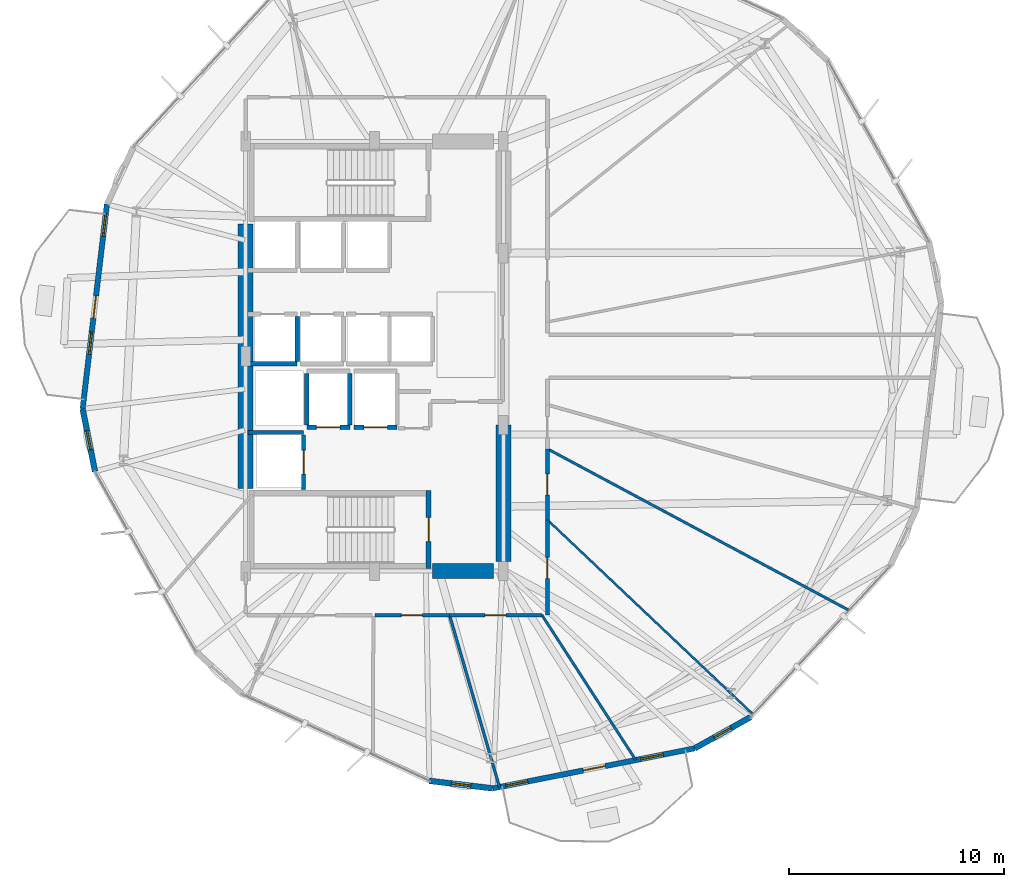
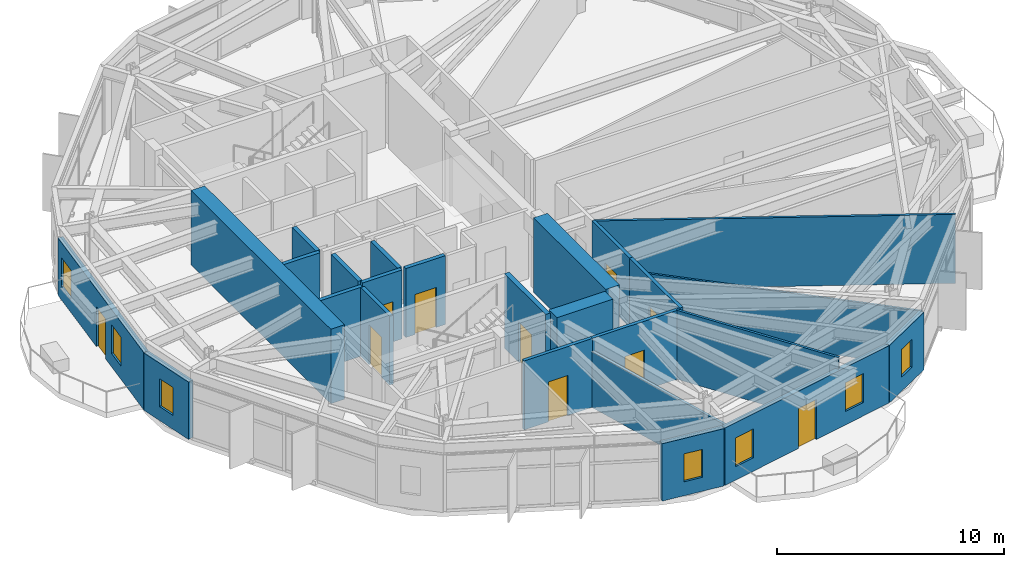
# One storey, part 17 of 22: 25 walls, 10 doors, 7 windows, 17 openings.
"""IFC4 building model written with IfcOpenShell, lengths in metres."""

from ifc_helpers import new_model, si_unit, direction, frame, frame_2d, origin, place, context, subcontext, project, spatial, rectangle, extrude, material, layer, layer_set, type_object, element, fill, save


model = new_model("IFC4")

# Units and contexts
model_context = context("Model", 3, precision=1e-05, world=origin(), true_north=direction((0.0, 1.0)))
body_context = subcontext(model_context, "Body", "Model", "MODEL_VIEW")
ifc_project = project(units=[si_unit("LENGTHUNIT", "METRE"), si_unit("AREAUNIT", "SQUARE_METRE"), si_unit("VOLUMEUNIT", "CUBIC_METRE"), si_unit("PLANEANGLEUNIT", "RADIAN"), si_unit("MASSUNIT", "GRAM", prefix="KILO")], contexts=[model_context])

# Site, building, storey
site_placement = place(None, origin())
site = spatial("IfcSite", under=ifc_project, at=site_placement, CompositionType="ELEMENT")
building_placement = place(site_placement, origin())
building = spatial("IfcBuilding", under=site, at=building_placement, Name="Soratama Intermodal Tower", CompositionType="ELEMENT")
storey_placement = place(building_placement, frame((0.0, 0.0, 70.60009765625)))
storey = spatial("IfcBuildingStorey", under=building, at=storey_placement, Name="L16", CompositionType="ELEMENT", Elevation=70.60009765625)

# Wall, openings, door, windows
ifc_material_1 = material(Name="Concrete f'c 42 MPa", Category="concrete")
ifc_layer_1 = layer(ifc_material_1, 0.25)
ifc_layer_set_1 = layer_set([ifc_layer_1], Name="Concrete f'c 42 MPa")
wall_type_1 = type_object("IfcWallType", Name="EW-BAL-250", PredefinedType="SOLIDWALL", material=ifc_layer_set_1)
wall_1_placement = place(storey_placement, frame((26.145751953125, 32.0703125, 0.0), z_axis=(0.0, 0.0, 1.0), x_axis=(-0.118050916003, -0.993007543391, 0.0)))
wall_1 = element("IfcWall", 1, at=wall_1_placement, inside=storey, type_object=wall_type_1, Name="L16 Terrace Wall F05", PredefinedType="SOLIDWALL", context=body_context, shape_type="SweptSolid", body=[
    extrude(rectangle(XDim=9.58984375, YDim=0.25, at=frame_2d((4.794921875, 0.0))), origin(), (0.0, 0.0, 1.0), 3.078857421875),
])
opening_1_placement = place(wall_1_placement, frame((4.294921875, 0.0, 0.0)))
opening_1 = element("IfcOpeningElement", 2, at=opening_1_placement, cuts=wall_1, Name="Opening ED-5", PredefinedType="OPENING", context=body_context, shape_type="SweptSolid", body=[
    extrude(rectangle(XDim=1.050048828125, YDim=2.14990234375, at=frame_2d((0.52490234375, 1.074951171875))), frame((0.0, 0.135009765625, 0.0), z_axis=(0.0, -1.0, 0.0), x_axis=(1.0, 0.0, 0.0)), (0.0, 0.0, 1.0), 0.27001953125),
])
opening_2_placement = place(wall_1_placement, frame((0.43994140625, 0.0, 0.719970703125)))
opening_2 = element("IfcOpeningElement", 3, at=opening_2_placement, cuts=wall_1, Name="Opening WN-5", PredefinedType="OPENING", context=body_context, shape_type="SweptSolid", body=[
    extrude(rectangle(XDim=1.050048828125, YDim=1.550048828125, at=frame_2d((0.52490234375, 0.77490234375))), frame((0.0, 0.135009765625, 0.0), z_axis=(0.0, -1.0, 0.0), x_axis=(1.0, 0.0, 0.0)), (0.0, 0.0, 1.0), 0.27001953125),
])
opening_3_placement = place(wall_1_placement, frame((5.98486328125, 0.0, 0.719970703125)))
opening_3 = element("IfcOpeningElement", 4, at=opening_3_placement, cuts=wall_1, Name="Opening WN-5", PredefinedType="OPENING", context=body_context, shape_type="SweptSolid", body=[
    extrude(rectangle(XDim=1.050048828125, YDim=1.550048828125, at=frame_2d((0.52490234375, 0.77490234375))), frame((0.0, 0.135009765625, 0.0), z_axis=(0.0, -1.0, 0.0), x_axis=(1.0, 0.0, 0.0)), (0.0, 0.0, 1.0), 0.27001953125),
])
ifc_material_2 = material(Name="Double-glazed aluminium door", Category="aluminium")
door_type_1 = type_object("IfcDoorType", Name="DR-BAL-1050", OperationType="NOTDEFINED", PredefinedType="DOOR", material=ifc_material_2)
door_1_placement = place(opening_1_placement, origin())
door_1 = element("IfcDoor", 5, at=door_1_placement, inside=storey, type_object=door_type_1, Name="L16 Balcony Door F05", OperationType="SINGLE_SWING_LEFT", OverallHeight=2.14990234375, OverallWidth=1.050048828125, PredefinedType="DOOR", context=body_context, shape_type="SweptSolid", body=[
    extrude(rectangle(XDim=1.050048828125, YDim=2.14990234375, at=frame_2d((0.52490234375, 1.074951171875))), frame((0.0, 0.02490234375, 0.0), z_axis=(0.0, -1.0, 0.0), x_axis=(1.0, 0.0, 0.0)), (0.0, 0.0, 1.0), 0.050048828125),
])
fill(opening_1, door_1)
ifc_material_3 = material(Name="Double-glazed aluminium window", Category="aluminium")
window_type_1 = type_object("IfcWindowType", Name="WN-FAC-1050", PartitioningType="SINGLE_PANEL", PredefinedType="WINDOW", material=ifc_material_3)
window_1_placement = place(opening_2_placement, origin())
window_1 = element("IfcWindow", 6, at=window_1_placement, inside=storey, type_object=window_type_1, Name="L16 Window A F05", OverallHeight=1.550048828125, OverallWidth=1.050048828125, PartitioningType="SINGLE_PANEL", PredefinedType="WINDOW", context=body_context, shape_type="SweptSolid", body=[
    extrude(rectangle(XDim=1.050048828125, YDim=1.550048828125, at=frame_2d((0.52490234375, 0.77490234375))), frame((0.0, 0.030029296875, 0.0), z_axis=(0.0, -1.0, 0.0), x_axis=(1.0, 0.0, 0.0)), (0.0, 0.0, 1.0), 0.06005859375),
])
fill(opening_2, window_1)
window_2_placement = place(opening_3_placement, origin())
window_2 = element("IfcWindow", 7, at=window_2_placement, inside=storey, type_object=window_type_1, Name="L16 Window B F05", OverallHeight=1.550048828125, OverallWidth=1.050048828125, PartitioningType="SINGLE_PANEL", PredefinedType="WINDOW", context=body_context, shape_type="SweptSolid", body=[
    extrude(rectangle(XDim=1.050048828125, YDim=1.550048828125, at=frame_2d((0.52490234375, 0.77490234375))), frame((0.0, 0.030029296875, 0.0), z_axis=(0.0, -1.0, 0.0), x_axis=(1.0, 0.0, 0.0)), (0.0, 0.0, 1.0), 0.06005859375),
])
fill(opening_3, window_2)

wall_2_placement = place(storey_placement, frame((44.10205078125, 4.8837890625, 0.0), z_axis=(0.0, 0.0, 1.0), x_axis=(0.980886929862, 0.194578598067, 0.0)))
wall_2 = element("IfcWall", 8, at=wall_2_placement, inside=storey, type_object=wall_type_1, Name="L16 Terrace Wall F08", PredefinedType="SOLIDWALL", context=body_context, shape_type="SweptSolid", body=[
    extrude(rectangle(XDim=9.58984375, YDim=0.25, at=frame_2d((4.794921875, 0.0))), origin(), (0.0, 0.0, 1.0), 3.078857421875),
])
opening_4_placement = place(wall_2_placement, frame((4.294921875, 0.0, 0.0)))
opening_4 = element("IfcOpeningElement", 9, at=opening_4_placement, cuts=wall_2, Name="Opening ED-5", PredefinedType="OPENING", context=body_context, shape_type="SweptSolid", body=[
    extrude(rectangle(XDim=1.050048828125, YDim=2.14990234375, at=frame_2d((0.52490234375, 1.074951171875))), frame((0.0, 0.135009765625, 0.0), z_axis=(0.0, -1.0, 0.0), x_axis=(1.0, 0.0, 0.0)), (0.0, 0.0, 1.0), 0.27001953125),
])
opening_5_placement = place(wall_2_placement, frame((0.620361328125, 0.0, 0.719970703125)))
opening_5 = element("IfcOpeningElement", 10, at=opening_5_placement, cuts=wall_2, Name="Opening WN-5", PredefinedType="OPENING", context=body_context, shape_type="SweptSolid", body=[
    extrude(rectangle(XDim=1.050048828125, YDim=1.550048828125, at=frame_2d((0.52490234375, 0.77490234375))), frame((0.0, 0.135009765625, 0.0), z_axis=(0.0, -1.0, 0.0), x_axis=(1.0, 0.0, 0.0)), (0.0, 0.0, 1.0), 0.27001953125),
])
opening_6_placement = place(wall_2_placement, frame((7.042236328125, 0.0, 0.719970703125)))
opening_6 = element("IfcOpeningElement", 11, at=opening_6_placement, cuts=wall_2, Name="Opening WN-5", PredefinedType="OPENING", context=body_context, shape_type="SweptSolid", body=[
    extrude(rectangle(XDim=1.050048828125, YDim=1.550048828125, at=frame_2d((0.52490234375, 0.77490234375))), frame((0.0, 0.135009765625, 0.0), z_axis=(0.0, -1.0, 0.0), x_axis=(1.0, 0.0, 0.0)), (0.0, 0.0, 1.0), 0.27001953125),
])
door_2_placement = place(opening_4_placement, origin())
door_2 = element("IfcDoor", 12, at=door_2_placement, inside=storey, type_object=door_type_1, Name="L16 Balcony Door F08", OperationType="SINGLE_SWING_RIGHT", OverallHeight=2.14990234375, OverallWidth=1.050048828125, PredefinedType="DOOR", context=body_context, shape_type="SweptSolid", body=[
    extrude(rectangle(XDim=1.050048828125, YDim=2.14990234375, at=frame_2d((0.52490234375, 1.074951171875))), frame((0.0, 0.02490234375, 0.0), z_axis=(0.0, -1.0, 0.0), x_axis=(1.0, 0.0, 0.0)), (0.0, 0.0, 1.0), 0.050048828125),
])
fill(opening_4, door_2)
window_3_placement = place(opening_5_placement, origin())
window_3 = element("IfcWindow", 13, at=window_3_placement, inside=storey, type_object=window_type_1, Name="L16 Window A F08", OverallHeight=1.550048828125, OverallWidth=1.050048828125, PartitioningType="SINGLE_PANEL", PredefinedType="WINDOW", context=body_context, shape_type="SweptSolid", body=[
    extrude(rectangle(XDim=1.050048828125, YDim=1.550048828125, at=frame_2d((0.52490234375, 0.77490234375))), frame((0.0, 0.030029296875, 0.0), z_axis=(0.0, -1.0, 0.0), x_axis=(1.0, 0.0, 0.0)), (0.0, 0.0, 1.0), 0.06005859375),
])
fill(opening_5, window_3)
window_4_placement = place(opening_6_placement, origin())
window_4 = element("IfcWindow", 14, at=window_4_placement, inside=storey, type_object=window_type_1, Name="L16 Window B F08", OverallHeight=1.550048828125, OverallWidth=1.050048828125, PartitioningType="SINGLE_PANEL", PredefinedType="WINDOW", context=body_context, shape_type="SweptSolid", body=[
    extrude(rectangle(XDim=1.050048828125, YDim=1.550048828125, at=frame_2d((0.52490234375, 0.77490234375))), frame((0.0, 0.030029296875, 0.0), z_axis=(0.0, -1.0, 0.0), x_axis=(1.0, 0.0, 0.0)), (0.0, 0.0, 1.0), 0.06005859375),
])
fill(opening_6, window_4)

# Wall, opening, window
ifc_material_4 = material(Name="Concrete f'c 42 MPa", Category="concrete")
ifc_layer_2 = layer(ifc_material_4, 0.27001953125)
ifc_layer_set_2 = layer_set([ifc_layer_2], Name="Concrete f'c 42 MPa")
wall_type_2 = type_object("IfcWallType", Name="EW-CRN-270", PredefinedType="SOLIDWALL", material=ifc_layer_set_2)
wall_3_placement = place(storey_placement, frame((25.013671875, 22.547607421875, 0.0), z_axis=(0.0, 0.0, 1.0), x_axis=(0.194549084762, -0.980892783957, 0.0)))
wall_3 = element("IfcWall", 15, at=wall_3_placement, inside=storey, type_object=wall_type_2, Name="L16 Corner Closure Wall 05", PredefinedType="SOLIDWALL", context=body_context, shape_type="SweptSolid", body=[
    extrude(rectangle(XDim=2.966552734375, YDim=0.27001953125, at=frame_2d((1.4833984375, 0.0))), origin(), (0.0, 0.0, 1.0), 3.078857421875),
])
opening_7_placement = place(wall_3_placement, frame((1.033203125, 0.0, 0.75)))
opening_7 = element("IfcOpeningElement", 16, at=opening_7_placement, cuts=wall_3, Name="Opening WN-6", PredefinedType="OPENING", context=body_context, shape_type="SweptSolid", body=[
    extrude(rectangle(XDim=0.89990234375, YDim=1.5, at=frame_2d((0.449951171875, 0.75))), frame((0.0, 0.14501953125, 0.0), z_axis=(0.0, -1.0, 0.0), x_axis=(1.0, 0.0, 0.0)), (0.0, 0.0, 1.0), 0.2900390625),
])
ifc_material_5 = material(Name="Double-glazed aluminium window", Category="aluminium")
window_type_2 = type_object("IfcWindowType", Name="WN-FAC-900", PartitioningType="SINGLE_PANEL", PredefinedType="WINDOW", material=ifc_material_5)
window_5_placement = place(opening_7_placement, origin())
window_5 = element("IfcWindow", 17, at=window_5_placement, inside=storey, type_object=window_type_2, Name="L16 Corner Window 05", OverallHeight=1.5, OverallWidth=0.89990234375, PartitioningType="SINGLE_PANEL", PredefinedType="WINDOW", context=body_context, shape_type="SweptSolid", body=[
    extrude(rectangle(XDim=0.89990234375, YDim=1.5, at=frame_2d((0.449951171875, 0.75))), frame((0.0, 0.030029296875, 0.0), z_axis=(0.0, -1.0, 0.0), x_axis=(1.0, 0.0, 0.0)), (0.0, 0.0, 1.0), 0.06005859375),
])
fill(opening_7, window_5)

wall_4_placement = place(storey_placement, frame((41.15625, 5.23388671875, 0.0), z_axis=(0.0, 0.0, 1.0), x_axis=(0.993011715875, -0.118015813075, 0.0)))
wall_4 = element("IfcWall", 18, at=wall_4_placement, inside=storey, type_object=wall_type_2, Name="L16 Corner Closure Wall 07", PredefinedType="SOLIDWALL", context=body_context, shape_type="SweptSolid", body=[
    extrude(rectangle(XDim=2.966552734375, YDim=0.27001953125, at=frame_2d((1.4833984375, 0.0))), origin(), (0.0, 0.0, 1.0), 3.078857421875),
])
opening_8_placement = place(wall_4_placement, frame((1.033203125, 0.0, 0.75)))
opening_8 = element("IfcOpeningElement", 19, at=opening_8_placement, cuts=wall_4, Name="Opening WN-6", PredefinedType="OPENING", context=body_context, shape_type="SweptSolid", body=[
    extrude(rectangle(XDim=0.89990234375, YDim=1.5, at=frame_2d((0.449951171875, 0.75))), frame((0.0, 0.14501953125, 0.0), z_axis=(0.0, -1.0, 0.0), x_axis=(1.0, 0.0, 0.0)), (0.0, 0.0, 1.0), 0.2900390625),
])
window_6_placement = place(opening_8_placement, origin())
window_6 = element("IfcWindow", 20, at=window_6_placement, inside=storey, type_object=window_type_2, Name="L16 Corner Window 07", OverallHeight=1.5, OverallWidth=0.89990234375, PartitioningType="SINGLE_PANEL", PredefinedType="WINDOW", context=body_context, shape_type="SweptSolid", body=[
    extrude(rectangle(XDim=0.89990234375, YDim=1.5, at=frame_2d((0.449951171875, 0.75))), frame((0.0, 0.030029296875, 0.0), z_axis=(0.0, -1.0, 0.0), x_axis=(1.0, 0.0, 0.0)), (0.0, 0.0, 1.0), 0.06005859375),
])
fill(opening_8, window_6)

wall_5_placement = place(storey_placement, frame((53.508544921875, 6.749755859375, 0.0), z_axis=(0.0, 0.0, 1.0), x_axis=(0.872744478874, 0.48817729832, 0.0)))
wall_5 = element("IfcWall", 21, at=wall_5_placement, inside=storey, type_object=wall_type_2, Name="L16 Corner Closure Wall 08", PredefinedType="SOLIDWALL", context=body_context, shape_type="SweptSolid", body=[
    extrude(rectangle(XDim=2.966552734375, YDim=0.27001953125, at=frame_2d((1.4833984375, 0.0))), origin(), (0.0, 0.0, 1.0), 3.078857421875),
])
opening_9_placement = place(wall_5_placement, frame((1.033203125, 0.0, 0.75)))
opening_9 = element("IfcOpeningElement", 22, at=opening_9_placement, cuts=wall_5, Name="Opening WN-6", PredefinedType="OPENING", context=body_context, shape_type="SweptSolid", body=[
    extrude(rectangle(XDim=0.89990234375, YDim=1.5, at=frame_2d((0.449951171875, 0.75))), frame((0.0, 0.14501953125, 0.0), z_axis=(0.0, -1.0, 0.0), x_axis=(1.0, 0.0, 0.0)), (0.0, 0.0, 1.0), 0.2900390625),
])
window_7_placement = place(opening_9_placement, origin())
window_7 = element("IfcWindow", 23, at=window_7_placement, inside=storey, type_object=window_type_2, Name="L16 Corner Window 08", OverallHeight=1.5, OverallWidth=0.89990234375, PartitioningType="SINGLE_PANEL", PredefinedType="WINDOW", context=body_context, shape_type="SweptSolid", body=[
    extrude(rectangle(XDim=0.89990234375, YDim=1.5, at=frame_2d((0.449951171875, 0.75))), frame((0.0, 0.030029296875, 0.0), z_axis=(0.0, -1.0, 0.0), x_axis=(1.0, 0.0, 0.0)), (0.0, 0.0, 1.0), 0.06005859375),
])
fill(opening_9, window_7)

# Wall, opening, door
ifc_material_6 = material(Name="Fire-rated gypsum stud partition", Category="concrete")
ifc_layer_3 = layer(ifc_material_6, 0.169921875)
ifc_layer_set_3 = layer_set([ifc_layer_3], Name="Fire-rated gypsum stud partition")
wall_type_3 = type_object("IfcWallType", Name="IW-PART-R170", PredefinedType="PARTITIONING", material=ifc_layer_set_3)
wall_6_placement = place(storey_placement, frame((46.64990234375, 17.385009765625, 0.0), z_axis=(0.0, 0.0, 1.0), x_axis=(0.0, -1.0, 0.0)))
wall_6 = element("IfcWall", 24, at=wall_6_placement, inside=storey, type_object=wall_type_3, Name="L16 Partition W-L16-TP018", PredefinedType="PARTITIONING", context=body_context, shape_type="SweptSolid", body=[
    extrude(rectangle(XDim=4.43505859375, YDim=0.169921875, at=frame_2d((2.217529296875, 0.0))), origin(), (0.0, 0.0, 1.0), 3.699951171875),
])
opening_10_placement = place(wall_6_placement, frame((1.742919921875, 0.0, 0.0)))
opening_10 = element("IfcOpeningElement", 25, at=opening_10_placement, cuts=wall_6, Name="Opening ID-5", PredefinedType="OPENING", context=body_context, shape_type="SweptSolid", body=[
    extrude(rectangle(XDim=0.97998046875, YDim=2.14990234375, at=frame_2d((0.489990234375, 1.074951171875))), frame((0.0, 0.094970703125, 0.0), z_axis=(0.0, -1.0, 0.0), x_axis=(1.0, 0.0, 0.0)), (0.0, 0.0, 1.0), 0.18994140625),
])
ifc_material_7 = material(Name="Solid hardwood acoustic door", Category="wood")
door_type_2 = type_object("IfcDoorType", Name="DR-OFF-980", OperationType="NOTDEFINED", PredefinedType="DOOR", material=ifc_material_7)
door_3_placement = place(opening_10_placement, origin())
door_3 = element("IfcDoor", 26, at=door_3_placement, inside=storey, type_object=door_type_2, Name="L16 Door D-L16-TP007", OperationType="SINGLE_SWING_RIGHT", OverallHeight=2.14990234375, OverallWidth=0.97998046875, PredefinedType="DOOR", context=body_context, shape_type="SweptSolid", body=[
    extrude(rectangle(XDim=0.97998046875, YDim=2.14990234375, at=frame_2d((0.489990234375, 1.074951171875))), frame((0.0, 0.02490234375, 0.0), z_axis=(0.0, -1.0, 0.0), x_axis=(1.0, 0.0, 0.0)), (0.0, 0.0, 1.0), 0.050048828125),
])
fill(opening_10, door_3)

wall_7_placement = place(storey_placement, frame((46.39501953125, 12.949951171875, 0.0), z_axis=(0.0, 0.0, 1.0), x_axis=(-1.0, 0.0, 0.0)))
wall_7 = element("IfcWall", 27, at=wall_7_placement, inside=storey, type_object=wall_type_3, Name="L16 Partition W-L16-TP020", PredefinedType="PARTITIONING", context=body_context, shape_type="SweptSolid", body=[
    extrude(rectangle(XDim=4.301025390625, YDim=0.169921875, at=frame_2d((2.150390625, 0.0))), origin(), (0.0, 0.0, 1.0), 3.699951171875),
])
opening_11_placement = place(wall_7_placement, frame((1.676025390625, 0.0, 0.0)))
opening_11 = element("IfcOpeningElement", 28, at=opening_11_placement, cuts=wall_7, Name="Opening ID-5", PredefinedType="OPENING", context=body_context, shape_type="SweptSolid", body=[
    extrude(rectangle(XDim=0.97998046875, YDim=2.14990234375, at=frame_2d((0.489990234375, 1.074951171875))), frame((0.0, 0.094970703125, 0.0), z_axis=(0.0, -1.0, 0.0), x_axis=(1.0, 0.0, 0.0)), (0.0, 0.0, 1.0), 0.18994140625),
])
door_4_placement = place(opening_11_placement, origin())
door_4 = element("IfcDoor", 29, at=door_4_placement, inside=storey, type_object=door_type_2, Name="L16 Door D-L16-TP009", OperationType="SINGLE_SWING_RIGHT", OverallHeight=2.14990234375, OverallWidth=0.97998046875, PredefinedType="DOOR", context=body_context, shape_type="SweptSolid", body=[
    extrude(rectangle(XDim=0.97998046875, YDim=2.14990234375, at=frame_2d((0.489990234375, 1.074951171875))), frame((0.0, 0.02490234375, 0.0), z_axis=(0.0, -1.0, 0.0), x_axis=(1.0, 0.0, 0.0)), (0.0, 0.0, 1.0), 0.050048828125),
])
fill(opening_11, door_4)

wall_8_placement = place(storey_placement, frame((42.093994140625, 12.949951171875, 0.0), z_axis=(0.0, 0.0, 1.0), x_axis=(-1.0, 0.0, 0.0)))
wall_8 = element("IfcWall", 30, at=wall_8_placement, inside=storey, type_object=wall_type_3, Name="L16 Partition W-L16-TP022", PredefinedType="PARTITIONING", context=body_context, shape_type="SweptSolid", body=[
    extrude(rectangle(XDim=3.47509765625, YDim=0.169921875, at=frame_2d((1.737548828125, 0.0))), origin(), (0.0, 0.0, 1.0), 3.699951171875),
])
opening_12_placement = place(wall_8_placement, frame((1.262939453125, 0.0, 0.0)))
opening_12 = element("IfcOpeningElement", 31, at=opening_12_placement, cuts=wall_8, Name="Opening ID-5", PredefinedType="OPENING", context=body_context, shape_type="SweptSolid", body=[
    extrude(rectangle(XDim=0.97998046875, YDim=2.14990234375, at=frame_2d((0.489990234375, 1.074951171875))), frame((0.0, 0.094970703125, 0.0), z_axis=(0.0, -1.0, 0.0), x_axis=(1.0, 0.0, 0.0)), (0.0, 0.0, 1.0), 0.18994140625),
])
door_5_placement = place(opening_12_placement, origin())
door_5 = element("IfcDoor", 32, at=door_5_placement, inside=storey, type_object=door_type_2, Name="L16 Door D-L16-TP010", OperationType="SINGLE_SWING_LEFT", OverallHeight=2.14990234375, OverallWidth=0.97998046875, PredefinedType="DOOR", context=body_context, shape_type="SweptSolid", body=[
    extrude(rectangle(XDim=0.97998046875, YDim=2.14990234375, at=frame_2d((0.489990234375, 1.074951171875))), frame((0.0, 0.02490234375, 0.0), z_axis=(0.0, -1.0, 0.0), x_axis=(1.0, 0.0, 0.0)), (0.0, 0.0, 1.0), 0.050048828125),
])
fill(opening_12, door_5)

wall_9_placement = place(storey_placement, frame((46.64990234375, 20.68896484375, 0.0), z_axis=(0.0, 0.0, 1.0), x_axis=(0.0, -1.0, 0.0)))
wall_9 = element("IfcWall", 33, at=wall_9_placement, inside=storey, type_object=wall_type_3, Name="L16 Partition W-L16-TP024", PredefinedType="PARTITIONING", context=body_context, shape_type="SweptSolid", body=[
    extrude(rectangle(XDim=3.303955078125, YDim=0.169921875, at=frame_2d((1.65185546875, 0.0))), origin(), (0.0, 0.0, 1.0), 3.699951171875),
])
opening_13_placement = place(wall_9_placement, frame((1.177001953125, 0.0, 0.0)))
opening_13 = element("IfcOpeningElement", 34, at=opening_13_placement, cuts=wall_9, Name="Opening ID-5", PredefinedType="OPENING", context=body_context, shape_type="SweptSolid", body=[
    extrude(rectangle(XDim=0.97998046875, YDim=2.14990234375, at=frame_2d((0.489990234375, 1.074951171875))), frame((0.0, 0.094970703125, 0.0), z_axis=(0.0, -1.0, 0.0), x_axis=(1.0, 0.0, 0.0)), (0.0, 0.0, 1.0), 0.18994140625),
])
door_6_placement = place(opening_13_placement, origin())
door_6 = element("IfcDoor", 35, at=door_6_placement, inside=storey, type_object=door_type_2, Name="L16 Door D-L16-TP012", OperationType="SINGLE_SWING_LEFT", OverallHeight=2.14990234375, OverallWidth=0.97998046875, PredefinedType="DOOR", context=body_context, shape_type="SweptSolid", body=[
    extrude(rectangle(XDim=0.97998046875, YDim=2.14990234375, at=frame_2d((0.489990234375, 1.074951171875))), frame((0.0, 0.02490234375, 0.0), z_axis=(0.0, -1.0, 0.0), x_axis=(1.0, 0.0, 0.0)), (0.0, 0.0, 1.0), 0.050048828125),
])
fill(opening_13, door_6)

# Walls
ifc_material_8 = material(Name="Fire-rated gypsum stud partition", Category="concrete")
ifc_layer_4 = layer(ifc_material_8, 0.10009765625)
ifc_layer_set_4 = layer_set([ifc_layer_4], Name="Fire-rated gypsum stud partition")
wall_type_4 = type_object("IfcWallType", Name="IW-PART-S100", PredefinedType="PARTITIONING", material=ifc_layer_set_4)
wall_10_placement = place(storey_placement, frame((46.64990234375, 17.385009765625, 0.0), z_axis=(0.0, 0.0, 1.0), x_axis=(0.726386402193, -0.687286544834, 0.0)))
element("IfcWall", 36, at=wall_10_placement, inside=storey, type_object=wall_type_4, Name="L16 Partition W-L16-TP007", PredefinedType="PARTITIONING", context=body_context, shape_type="SweptSolid", body=[
    extrude(rectangle(XDim=13.1748046875, YDim=0.10009765625, at=frame_2d((6.58740234375, 0.0))), origin(), (0.0, 0.0, 1.0), 2.994873046875),
])
ifc_material_9 = material(Name="Fire-rated gypsum stud partition", Category="concrete")
ifc_layer_5 = layer(ifc_material_9, 0.1201171875)
ifc_layer_set_5 = layer_set([ifc_layer_5], Name="Fire-rated gypsum stud partition")
wall_type_5 = type_object("IfcWallType", Name="IW-PART-S120", PredefinedType="PARTITIONING", material=ifc_layer_set_5)
wall_11_placement = place(storey_placement, frame((46.64990234375, 20.68896484375, 0.0), z_axis=(0.0, 0.0, 1.0), x_axis=(0.881590875685, -0.472014330194, 0.0)))
element("IfcWall", 37, at=wall_11_placement, inside=storey, type_object=wall_type_5, Name="L16 Partition W-L16-TP005", PredefinedType="PARTITIONING", context=body_context, shape_type="SweptSolid", body=[
    extrude(rectangle(XDim=15.933837890625, YDim=0.1201171875, at=frame_2d((7.966796875, 0.0))), origin(), (0.0, 0.0, 1.0), 3.699951171875),
])
wall_12_placement = place(storey_placement, frame((46.39501953125, 12.949951171875, 0.0), z_axis=(0.0, 0.0, 1.0), x_axis=(0.543253797888, -0.839568526733, 0.0)))
element("IfcWall", 38, at=wall_12_placement, inside=storey, type_object=wall_type_5, Name="L16 Partition W-L16-TP010", PredefinedType="PARTITIONING", context=body_context, shape_type="SweptSolid", body=[
    extrude(rectangle(XDim=8.034912109375, YDim=0.1201171875, at=frame_2d((4.017578125, 0.0))), origin(), (0.0, 0.0, 1.0), 3.699951171875),
])
ifc_material_10 = material(Name="Fire-rated gypsum stud partition", Category="concrete")
ifc_layer_6 = layer(ifc_material_10, 0.1298828125)
ifc_layer_set_6 = layer_set([ifc_layer_6], Name="Fire-rated gypsum stud partition")
wall_type_6 = type_object("IfcWallType", Name="IW-PART-S130", PredefinedType="PARTITIONING", material=ifc_layer_set_6)
wall_13_placement = place(storey_placement, frame((42.093994140625, 12.949951171875, 0.0), z_axis=(0.0, 0.0, 1.0), x_axis=(0.278514721912, -0.960431959942, 0.0)))
element("IfcWall", 39, at=wall_13_placement, inside=storey, type_object=wall_type_6, Name="L16 Partition W-L16-TP009", PredefinedType="PARTITIONING", context=body_context, shape_type="SweptSolid", body=[
    extrude(rectangle(XDim=8.333740234375, YDim=0.1298828125, at=frame_2d((4.1669921875, 0.0))), origin(), (0.0, 0.0, 1.0), 2.994873046875),
])

# Wall, opening, door
ifc_material_11 = material(Name="Concrete f'c 42 MPa", Category="concrete")
ifc_layer_7 = layer(ifc_material_11, 0.199951171875)
ifc_layer_set_7 = layer_set([ifc_layer_7], Name="Concrete f'c 42 MPa")
wall_type_7 = type_object("IfcWallType", Name="IW-SHAFT-200", PredefinedType="SOLIDWALL", material=ifc_layer_set_7)
wall_14_placement = place(storey_placement, frame((35.449951171875, 21.699951171875, 0.0), z_axis=(0.0, 0.0, 1.0), x_axis=(1.0, 0.0, 0.0)))
wall_14 = element("IfcWall", 40, at=wall_14_placement, inside=storey, type_object=wall_type_7, Name="L16 FFL-1 Hoistway Wall S", PredefinedType="SOLIDWALL", context=body_context, shape_type="SweptSolid", body=[
    extrude(rectangle(XDim=2.0, YDim=0.199951171875, at=frame_2d((1.0, 0.0))), origin(), (0.0, 0.0, 1.0), 3.699951171875),
])
opening_14_placement = place(wall_14_placement, frame((0.449951171875, 0.0, 0.0)))
opening_14 = element("IfcOpeningElement", 41, at=opening_14_placement, cuts=wall_14, Name="Opening LD-1", PredefinedType="OPENING", context=body_context, shape_type="SweptSolid", body=[
    extrude(rectangle(XDim=1.10009765625, YDim=2.14990234375, at=frame_2d((0.550048828125, 1.074951171875))), frame((0.0, 0.10986328125, 0.0), z_axis=(0.0, -1.0, 0.0), x_axis=(1.0, 0.0, 0.0)), (0.0, 0.0, 1.0), 0.219970703125),
])
ifc_material_12 = material(Name="Steel fire door", Category="steel")
door_type_3 = type_object("IfcDoorType", Name="DR-LIFT-SLIDE", OperationType="NOTDEFINED", PredefinedType="DOOR", material=ifc_material_12)
door_7_placement = place(opening_14_placement, origin())
door_7 = element("IfcDoor", 42, at=door_7_placement, inside=storey, type_object=door_type_3, Name="L16 FFL-1 Sliding Landing Door", OperationType="SLIDING_TO_LEFT", OverallHeight=2.14990234375, OverallWidth=1.10009765625, PredefinedType="DOOR", context=body_context, shape_type="SweptSolid", body=[
    extrude(rectangle(XDim=1.10009765625, YDim=2.14990234375, at=frame_2d((0.550048828125, 1.074951171875))), frame((0.0, 0.02490234375, 0.0), z_axis=(0.0, -1.0, 0.0), x_axis=(1.0, 0.0, 0.0)), (0.0, 0.0, 1.0), 0.050048828125),
])
fill(opening_14, door_7)

# Walls
for number, where, z_axis, x_axis, name in (
    (43, (35.449951171875, 21.81005859375, 0.0), (0.0, 0.0, 1.0), (0.0, 1.0, 0.0), "L16 FFL-1 Hoistway Wall W"),
    (44, (37.449951171875, 21.81005859375, 0.0), (0.0, 0.0, 1.0), (0.0, 1.0, 0.0), "L16 FFL-1 Hoistway Wall E"),
):
    element("IfcWall", number, at=place(storey_placement, frame(where, z_axis=z_axis, x_axis=x_axis)), inside=storey, type_object=wall_type_7, Name=name, PredefinedType="SOLIDWALL", context=body_context, shape_type="SweptSolid", body=[
        extrude(rectangle(XDim=2.3798828125, YDim=0.199951171875, at=frame_2d((1.18994140625, 0.0))), origin(), (0.0, 0.0, 1.0), 3.699951171875),
    ])

# Wall, opening, door
wall_15_placement = place(storey_placement, frame((37.64990234375, 21.699951171875, 0.0), z_axis=(0.0, 0.0, 1.0), x_axis=(1.0, 0.0, 0.0)))
wall_15 = element("IfcWall", 45, at=wall_15_placement, inside=storey, type_object=wall_type_7, Name="L16 FFL-2 Hoistway Wall S", PredefinedType="SOLIDWALL", context=body_context, shape_type="SweptSolid", body=[
    extrude(rectangle(XDim=2.0, YDim=0.199951171875, at=frame_2d((1.0, 0.0))), origin(), (0.0, 0.0, 1.0), 3.699951171875),
])
opening_15_placement = place(wall_15_placement, frame((0.449951171875, 0.0, 0.0)))
opening_15 = element("IfcOpeningElement", 46, at=opening_15_placement, cuts=wall_15, Name="Opening LD-1", PredefinedType="OPENING", context=body_context, shape_type="SweptSolid", body=[
    extrude(rectangle(XDim=1.10009765625, YDim=2.14990234375, at=frame_2d((0.550048828125, 1.074951171875))), frame((0.0, 0.10986328125, 0.0), z_axis=(0.0, -1.0, 0.0), x_axis=(1.0, 0.0, 0.0)), (0.0, 0.0, 1.0), 0.219970703125),
])
door_8_placement = place(opening_15_placement, origin())
door_8 = element("IfcDoor", 47, at=door_8_placement, inside=storey, type_object=door_type_3, Name="L16 FFL-2 Sliding Landing Door", OperationType="SLIDING_TO_LEFT", OverallHeight=2.14990234375, OverallWidth=1.10009765625, PredefinedType="DOOR", context=body_context, shape_type="SweptSolid", body=[
    extrude(rectangle(XDim=1.10009765625, YDim=2.14990234375, at=frame_2d((0.550048828125, 1.074951171875))), frame((0.0, 0.02490234375, 0.0), z_axis=(0.0, -1.0, 0.0), x_axis=(1.0, 0.0, 0.0)), (0.0, 0.0, 1.0), 0.050048828125),
])
fill(opening_15, door_8)

# Wall
wall_16_placement = place(storey_placement, frame((32.719970703125, 21.449951171875, 0.0), z_axis=(0.0, 0.0, 1.0), x_axis=(1.0, 0.0, 0.0)))
element("IfcWall", 48, at=wall_16_placement, inside=storey, type_object=wall_type_7, Name="L16 SVL-1 Hoistway Wall N", PredefinedType="SOLIDWALL", context=body_context, shape_type="SweptSolid", body=[
    extrude(rectangle(XDim=2.580078125, YDim=0.199951171875, at=frame_2d((1.2900390625, 0.0))), origin(), (0.0, 0.0, 1.0), 3.699951171875),
])

# Wall, opening, door
wall_17_placement = place(storey_placement, frame((35.300048828125, 18.7900390625, 0.0), z_axis=(0.0, 0.0, 1.0), x_axis=(0.0, 1.0, 0.0)))
wall_17 = element("IfcWall", 49, at=wall_17_placement, inside=storey, type_object=wall_type_7, Name="L16 SVL-1 Hoistway Wall E", PredefinedType="SOLIDWALL", context=body_context, shape_type="SweptSolid", body=[
    extrude(rectangle(XDim=2.550048828125, YDim=0.199951171875, at=frame_2d((1.27490234375, 0.0))), origin(), (0.0, 0.0, 1.0), 3.699951171875),
])
opening_16_placement = place(wall_17_placement, frame((0.72509765625, 0.0, 0.0)))
opening_16 = element("IfcOpeningElement", 50, at=opening_16_placement, cuts=wall_17, Name="Opening LD-1", PredefinedType="OPENING", context=body_context, shape_type="SweptSolid", body=[
    extrude(rectangle(XDim=1.10009765625, YDim=2.14990234375, at=frame_2d((0.550048828125, 1.074951171875))), frame((0.0, 0.10986328125, 0.0), z_axis=(0.0, -1.0, 0.0), x_axis=(1.0, 0.0, 0.0)), (0.0, 0.0, 1.0), 0.219970703125),
])
door_9_placement = place(opening_16_placement, origin())
door_9 = element("IfcDoor", 51, at=door_9_placement, inside=storey, type_object=door_type_3, Name="L16 SVL-1 Sliding Landing Door", OperationType="SLIDING_TO_LEFT", OverallHeight=2.14990234375, OverallWidth=1.10009765625, PredefinedType="DOOR", context=body_context, shape_type="SweptSolid", body=[
    extrude(rectangle(XDim=1.10009765625, YDim=2.14990234375, at=frame_2d((0.550048828125, 1.074951171875))), frame((0.0, 0.02490234375, 0.0), z_axis=(0.0, -1.0, 0.0), x_axis=(1.0, 0.0, 0.0)), (0.0, 0.0, 1.0), 0.050048828125),
])
fill(opening_16, door_9)

# Walls
wall_18_placement = place(storey_placement, frame((32.719970703125, 24.64990234375, 0.0), z_axis=(0.0, 0.0, 1.0), x_axis=(1.0, 0.0, 0.0)))
element("IfcWall", 52, at=wall_18_placement, inside=storey, type_object=wall_type_7, Name="L16 PL-L1 Hoistway Wall S", PredefinedType="SOLIDWALL", context=body_context, shape_type="SweptSolid", body=[
    extrude(rectangle(XDim=2.280029296875, YDim=0.199951171875, at=frame_2d((1.14013671875, 0.0))), origin(), (0.0, 0.0, 1.0), 3.699951171875),
])
wall_19_placement = place(storey_placement, frame((35.0, 24.760009765625, 0.0), z_axis=(0.0, 0.0, 1.0), x_axis=(0.0, 1.0, 0.0)))
element("IfcWall", 53, at=wall_19_placement, inside=storey, type_object=wall_type_7, Name="L16 PL-L1 Hoistway Wall E", PredefinedType="SOLIDWALL", context=body_context, shape_type="SweptSolid", body=[
    extrude(rectangle(XDim=2.080078125, YDim=0.199951171875, at=frame_2d((1.0400390625, 0.0))), origin(), (0.0, 0.0, 1.0), 3.699951171875),
])
ifc_material_13 = material(Name="Concrete f'c 56 MPa", Category="concrete")
ifc_layer_8 = layer(ifc_material_13, 0.699951171875)
ifc_layer_set_8 = layer_set([ifc_layer_8], Name="Concrete f'c 56 MPa")
wall_type_8 = type_object("IfcWallType", Name="SW-CORE-700", PredefinedType="SHEAR", material=ifc_layer_set_8)
wall_20_placement = place(storey_placement, frame((32.60009765625, 18.85009765625, 0.0), z_axis=(0.0, 0.0, 1.0), x_axis=(0.0, 1.0, 0.0)))
element("IfcWall", 54, at=wall_20_placement, inside=storey, type_object=wall_type_8, Name="L16 Core Shear Wall CW-WMID", PredefinedType="SHEAR", context=body_context, shape_type="SweptSolid", body=[
    extrude(rectangle(XDim=12.2998046875, YDim=0.699951171875, at=frame_2d((6.14990234375, 0.0))), origin(), (0.0, 0.0, 1.0), 4.0),
])
wall_21_placement = place(storey_placement, frame((41.300048828125, 15.0, 0.0), z_axis=(0.0, 0.0, 1.0), x_axis=(1.0, 0.0, 0.0)))
element("IfcWall", 55, at=wall_21_placement, inside=storey, type_object=wall_type_8, Name="L16 Core Shear Wall CW-SE", PredefinedType="SHEAR", context=body_context, shape_type="SweptSolid", body=[
    extrude(rectangle(XDim=2.849853515625, YDim=0.699951171875, at=frame_2d((1.4248046875, 0.0))), origin(), (0.0, 0.0, 1.0), 4.0),
])
wall_22_placement = place(storey_placement, frame((44.60009765625, 15.449951171875, 0.0), z_axis=(0.0, 0.0, 1.0), x_axis=(0.0, 1.0, 0.0)))
element("IfcWall", 56, at=wall_22_placement, inside=storey, type_object=wall_type_8, Name="L16 Core Shear Wall CW-ES", PredefinedType="SHEAR", context=body_context, shape_type="SweptSolid", body=[
    extrude(rectangle(XDim=6.35009765625, YDim=0.699951171875, at=frame_2d((3.175048828125, 0.0))), origin(), (0.0, 0.0, 1.0), 4.0),
])

# Wall, opening, door
ifc_material_14 = material(Name="Concrete f'c 56 MPa", Category="concrete")
ifc_layer_9 = layer(ifc_material_14, 0.239990234375)
ifc_layer_set_9 = layer_set([ifc_layer_9], Name="Concrete f'c 56 MPa")
wall_type_9 = type_object("IfcWallType", Name="SW-STAIR-240", PredefinedType="SHEAR", material=ifc_layer_set_9)
wall_23_placement = place(storey_placement, frame((41.1201171875, 15.110107421875, 0.0), z_axis=(0.0, 0.0, 1.0), x_axis=(0.0, 1.0, 0.0)))
wall_23 = element("IfcWall", 57, at=wall_23_placement, inside=storey, type_object=wall_type_9, Name="L16 ST-1 Shaft Shear Wall E", PredefinedType="SHEAR", context=body_context, shape_type="SweptSolid", body=[
    extrude(rectangle(XDim=3.6298828125, YDim=0.239990234375, at=frame_2d((1.81494140625, 0.0))), origin(), (0.0, 0.0, 1.0), 4.0),
])
opening_17_placement = place(wall_23_placement, frame((1.2548828125, 0.0, 0.0)))
opening_17 = element("IfcOpeningElement", 58, at=opening_17_placement, cuts=wall_23, Name="Opening SD-1", PredefinedType="OPENING", context=body_context, shape_type="SweptSolid", body=[
    extrude(rectangle(XDim=1.1201171875, YDim=2.14990234375, at=frame_2d((0.56005859375, 1.074951171875))), frame((0.0, 0.1298828125, 0.0), z_axis=(0.0, -1.0, 0.0), x_axis=(1.0, 0.0, 0.0)), (0.0, 0.0, 1.0), 0.260009765625),
])
ifc_material_15 = material(Name="Steel fire door", Category="steel")
door_type_4 = type_object("IfcDoorType", Name="DR-STAIR-FD90", OperationType="NOTDEFINED", PredefinedType="DOOR", material=ifc_material_15)
door_10_placement = place(opening_17_placement, origin())
door_10 = element("IfcDoor", 59, at=door_10_placement, inside=storey, type_object=door_type_4, Name="L16 ST-1 Exit Stair Door", OperationType="SINGLE_SWING_LEFT", OverallHeight=2.14990234375, OverallWidth=1.1201171875, PredefinedType="DOOR", context=body_context, shape_type="SweptSolid", body=[
    extrude(rectangle(XDim=1.1201171875, YDim=2.14990234375, at=frame_2d((0.56005859375, 1.074951171875))), frame((0.0, 0.02490234375, 0.0), z_axis=(0.0, -1.0, 0.0), x_axis=(1.0, 0.0, 0.0)), (0.0, 0.0, 1.0), 0.050048828125),
])
fill(opening_17, door_10)

save(model, "model.ifc")
